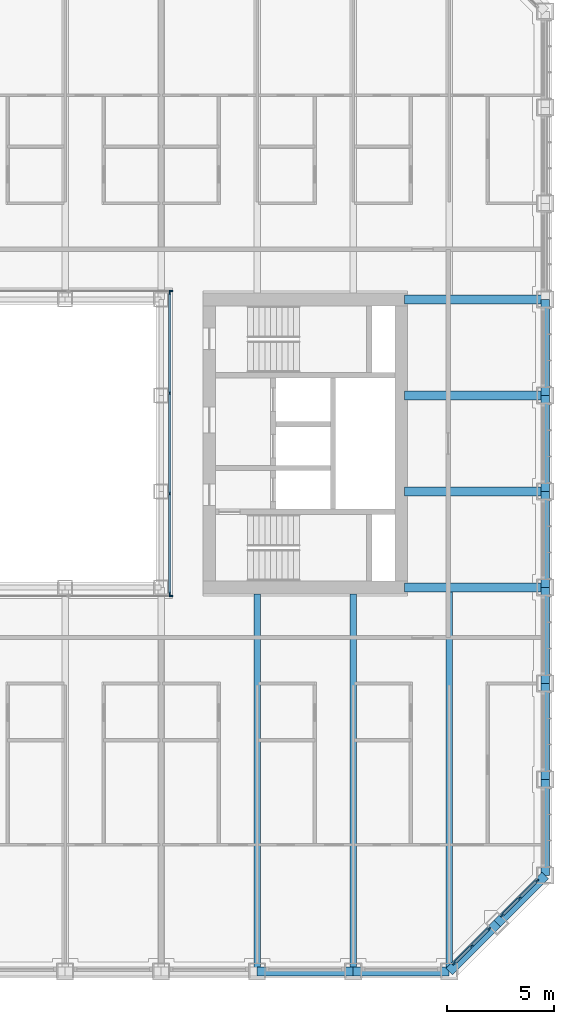
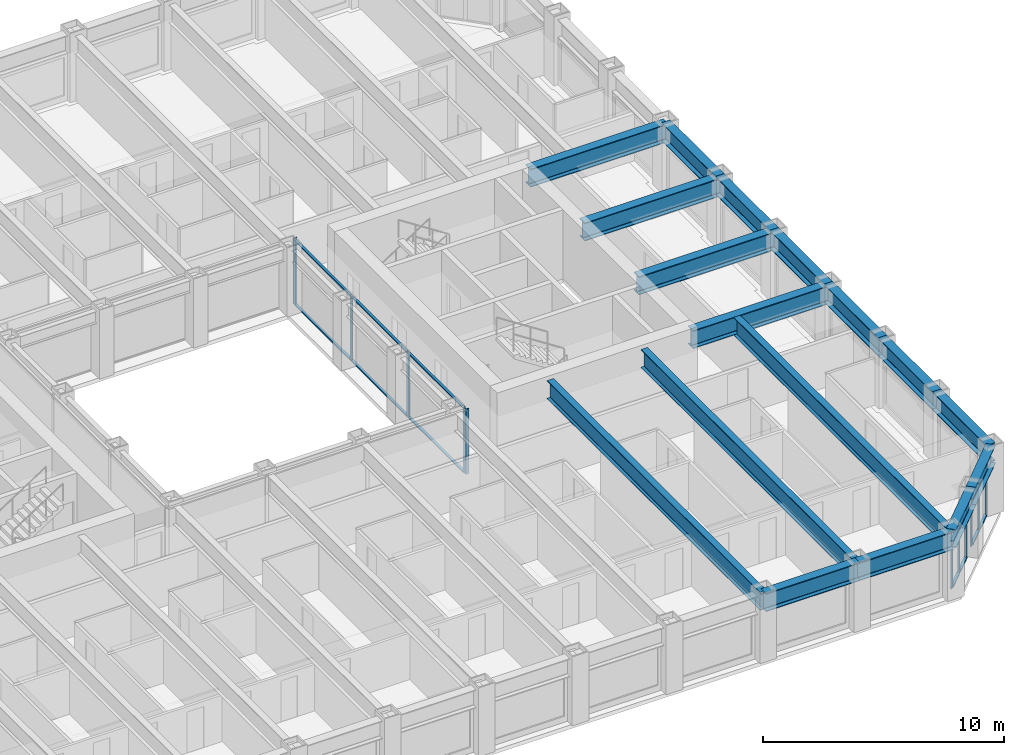
# One storey, part 5 of 21: 26 members, 17 beams, 5 elements without a shape of their own.
"""IFC4 building model written with IfcOpenShell, lengths in metres."""

from ifc_helpers import new_model, si_unit, direction, frame, origin, origin_2d, place, context, subcontext, project, spatial, rectangle, i_section, extrude, material, material_profile, profile_set, type_object, element, aggregate, save


model = new_model("IFC4")

# Units and contexts
model_context = context("Model", 3, precision=1e-05, world=origin(), true_north=direction((0.0, 1.0)))
body_context = subcontext(model_context, "Body", "Model", "MODEL_VIEW")
ifc_project = project(units=[si_unit("LENGTHUNIT", "METRE"), si_unit("AREAUNIT", "SQUARE_METRE"), si_unit("VOLUMEUNIT", "CUBIC_METRE"), si_unit("PLANEANGLEUNIT", "RADIAN"), si_unit("MASSUNIT", "GRAM", prefix="KILO")], contexts=[model_context])

# Site, building, storey
site_placement = place(None, origin())
site = spatial("IfcSite", under=ifc_project, at=site_placement, CompositionType="ELEMENT")
building_placement = place(site_placement, origin())
building = spatial("IfcBuilding", under=site, at=building_placement, Name="Msasa Ring Tower", CompositionType="ELEMENT")
storey_placement = place(building_placement, frame((0.0, 0.0, 93.0)))
storey = spatial("IfcBuildingStorey", under=building, at=storey_placement, Name="L24", CompositionType="ELEMENT", Elevation=93.0)

# Curtain wall, members
ifc_material_1 = material(Name="Aluminium curtain wall with clear glass", Category="aluminium")
curtain_wall_type_1 = type_object("IfcCurtainWallType", Name="CW-C CHAMFER CORNER CURTAIN WALL", PredefinedType="NOTDEFINED", material=ifc_material_1)
curtain_wall_1_placement = place(storey_placement, origin())
curtain_wall_1 = element("IfcCurtainWall", 1, at=curtain_wall_1_placement, inside=storey, type_object=curtain_wall_type_1, Name="Chamfer corner curtain wall SE L24", PredefinedType="NOTDEFINED")
ifc_material_2 = material(Name="Aluminium mullion", Category="aluminium")
ifc_material_profile_1 = material_profile(ifc_material_2, rectangle(XDim=0.06494140625, YDim=0.179931640625, at=origin_2d()), Name="AL 65x180")
ifc_profile_set_1 = profile_set([ifc_material_profile_1], Name="Aluminium mullion")
member_type_1 = type_object("IfcMemberType", Name="CW-C MULLION 65x180", PredefinedType="MULLION", material=ifc_profile_set_1)
member_1_placement = place(storey_placement, frame((20.48876953125, -24.369873046875, 0.0), z_axis=(0.0, 0.0, 1.0), x_axis=(-0.707106781187, 0.707106781187, 0.0)))
member_1 = element("IfcMember", 2, at=member_1_placement, type_object=member_type_1, Name="CW-C mullion 1", PredefinedType="MULLION", context=body_context, shape_type="SweptSolid", body=[
    extrude(rectangle(XDim=0.06494140625, YDim=0.179931640625, at=origin_2d()), origin(), (0.0, 0.0, 1.0), 2.37890625),
])
member_2_placement = place(storey_placement, frame((21.30419921875, -23.55419921875, 0.0), z_axis=(0.0, 0.0, 1.0), x_axis=(-0.707106781187, 0.707106781187, 0.0)))
member_2 = element("IfcMember", 3, at=member_2_placement, type_object=member_type_1, Name="CW-C mullion 2", PredefinedType="MULLION", context=body_context, shape_type="SweptSolid", body=[
    extrude(rectangle(XDim=0.06494140625, YDim=0.179931640625, at=origin_2d()), origin(), (0.0, 0.0, 1.0), 2.37890625),
])
member_3_placement = place(storey_placement, frame((22.119873046875, -22.73876953125, 0.0), z_axis=(0.0, 0.0, 1.0), x_axis=(-0.707106781187, 0.707106781187, 0.0)))
member_3 = element("IfcMember", 4, at=member_3_placement, type_object=member_type_1, Name="CW-C mullion 3", PredefinedType="MULLION", context=body_context, shape_type="SweptSolid", body=[
    extrude(rectangle(XDim=0.06494140625, YDim=0.179931640625, at=origin_2d()), origin(), (0.0, 0.0, 1.0), 2.37890625),
])

curtain_wall_2_placement = place(storey_placement, origin())
curtain_wall_2 = element("IfcCurtainWall", 5, at=curtain_wall_2_placement, inside=storey, type_object=curtain_wall_type_1, Name="Chamfer corner curtain wall SE L24", PredefinedType="NOTDEFINED")
member_4_placement = place(storey_placement, frame((22.73876953125, -22.119873046875, 0.0), z_axis=(0.0, 0.0, 1.0), x_axis=(-0.707106781187, 0.707106781187, 0.0)))
member_4 = element("IfcMember", 6, at=member_4_placement, type_object=member_type_1, Name="CW-C mullion 1", PredefinedType="MULLION", context=body_context, shape_type="SweptSolid", body=[
    extrude(rectangle(XDim=0.06494140625, YDim=0.179931640625, at=origin_2d()), origin(), (0.0, 0.0, 1.0), 2.37890625),
])
member_5_placement = place(storey_placement, frame((23.55419921875, -21.30419921875, 0.0), z_axis=(0.0, 0.0, 1.0), x_axis=(-0.707106781187, 0.707106781187, 0.0)))
member_5 = element("IfcMember", 7, at=member_5_placement, type_object=member_type_1, Name="CW-C mullion 2", PredefinedType="MULLION", context=body_context, shape_type="SweptSolid", body=[
    extrude(rectangle(XDim=0.06494140625, YDim=0.179931640625, at=origin_2d()), origin(), (0.0, 0.0, 1.0), 2.37890625),
])
member_6_placement = place(storey_placement, frame((24.369873046875, -20.48876953125, 0.0), z_axis=(0.0, 0.0, 1.0), x_axis=(-0.707106781187, 0.707106781187, 0.0)))
member_6 = element("IfcMember", 8, at=member_6_placement, type_object=member_type_1, Name="CW-C mullion 3", PredefinedType="MULLION", context=body_context, shape_type="SweptSolid", body=[
    extrude(rectangle(XDim=0.06494140625, YDim=0.179931640625, at=origin_2d()), origin(), (0.0, 0.0, 1.0), 2.37890625),
])

# Member
ifc_material_3 = material(Name="Aluminium transom", Category="aluminium")
ifc_material_profile_2 = material_profile(ifc_material_3, rectangle(XDim=0.139892578125, YDim=0.06494140625, at=origin_2d()), Name="AL 65x140")
ifc_profile_set_2 = profile_set([ifc_material_profile_2], Name="Aluminium transom")
member_type_2 = type_object("IfcMemberType", Name="CW-C TRANSOM 65x140", PredefinedType="USERDEFINED", material=ifc_profile_set_2)
member_7_placement = place(storey_placement, frame((20.51171875, -24.346923828125, 0.032470703125), z_axis=(0.707106781187, 0.707106781187, 0.0), x_axis=(-0.707106781187, 0.707106781187, 0.0)))
member_7 = element("IfcMember", 9, at=member_7_placement, type_object=member_type_2, Name="CW-C transom 1.1", ObjectType="TRANSOM", PredefinedType="USERDEFINED", context=body_context, shape_type="SweptSolid", body=[
    extrude(rectangle(XDim=0.139892578125, YDim=0.06494140625, at=origin_2d()), origin(), (0.0, 0.0, 1.0), 1.08837890625),
])

member_8_placement = place(storey_placement, frame((20.51171875, -24.346923828125, 2.346435546875), z_axis=(0.707106781187, 0.707106781187, 0.0), x_axis=(-0.707106781187, 0.707106781187, 0.0)))
member_8 = element("IfcMember", 10, at=member_8_placement, type_object=member_type_2, Name="CW-C transom 1.2", ObjectType="TRANSOM", PredefinedType="USERDEFINED", context=body_context, shape_type="SweptSolid", body=[
    extrude(rectangle(XDim=0.139892578125, YDim=0.06494140625, at=origin_2d()), origin(), (0.0, 0.0, 1.0), 1.08837890625),
])

member_9_placement = place(storey_placement, frame((21.327392578125, -23.53125, 0.032470703125), z_axis=(0.707106781187, 0.707106781187, 0.0), x_axis=(-0.707106781187, 0.707106781187, 0.0)))
member_9 = element("IfcMember", 11, at=member_9_placement, type_object=member_type_2, Name="CW-C transom 2.1", ObjectType="TRANSOM", PredefinedType="USERDEFINED", context=body_context, shape_type="SweptSolid", body=[
    extrude(rectangle(XDim=0.139892578125, YDim=0.06494140625, at=origin_2d()), origin(), (0.0, 0.0, 1.0), 1.08837890625),
])

member_10_placement = place(storey_placement, frame((21.327392578125, -23.53125, 2.346435546875), z_axis=(0.707106781187, 0.707106781187, 0.0), x_axis=(-0.707106781187, 0.707106781187, 0.0)))
member_10 = element("IfcMember", 12, at=member_10_placement, type_object=member_type_2, Name="CW-C transom 2.2", ObjectType="TRANSOM", PredefinedType="USERDEFINED", context=body_context, shape_type="SweptSolid", body=[
    extrude(rectangle(XDim=0.139892578125, YDim=0.06494140625, at=origin_2d()), origin(), (0.0, 0.0, 1.0), 1.08837890625),
])

aggregate(curtain_wall_1, [member_1, member_2, member_3, member_7, member_8, member_9, member_10])

member_11_placement = place(storey_placement, frame((22.76171875, -22.096923828125, 0.032470703125), z_axis=(0.707106781187, 0.707106781187, 0.0), x_axis=(-0.707106781187, 0.707106781187, 0.0)))
member_11 = element("IfcMember", 13, at=member_11_placement, type_object=member_type_2, Name="CW-C transom 1.1", ObjectType="TRANSOM", PredefinedType="USERDEFINED", context=body_context, shape_type="SweptSolid", body=[
    extrude(rectangle(XDim=0.139892578125, YDim=0.06494140625, at=origin_2d()), origin(), (0.0, 0.0, 1.0), 1.08837890625),
])

member_12_placement = place(storey_placement, frame((22.76171875, -22.096923828125, 2.346435546875), z_axis=(0.707106781187, 0.707106781187, 0.0), x_axis=(-0.707106781187, 0.707106781187, 0.0)))
member_12 = element("IfcMember", 14, at=member_12_placement, type_object=member_type_2, Name="CW-C transom 1.2", ObjectType="TRANSOM", PredefinedType="USERDEFINED", context=body_context, shape_type="SweptSolid", body=[
    extrude(rectangle(XDim=0.139892578125, YDim=0.06494140625, at=origin_2d()), origin(), (0.0, 0.0, 1.0), 1.08837890625),
])

member_13_placement = place(storey_placement, frame((23.577392578125, -21.28125, 0.032470703125), z_axis=(0.707106781187, 0.707106781187, 0.0), x_axis=(-0.707106781187, 0.707106781187, 0.0)))
member_13 = element("IfcMember", 15, at=member_13_placement, type_object=member_type_2, Name="CW-C transom 2.1", ObjectType="TRANSOM", PredefinedType="USERDEFINED", context=body_context, shape_type="SweptSolid", body=[
    extrude(rectangle(XDim=0.139892578125, YDim=0.06494140625, at=origin_2d()), origin(), (0.0, 0.0, 1.0), 1.08837890625),
])

member_14_placement = place(storey_placement, frame((23.577392578125, -21.28125, 2.346435546875), z_axis=(0.707106781187, 0.707106781187, 0.0), x_axis=(-0.707106781187, 0.707106781187, 0.0)))
member_14 = element("IfcMember", 16, at=member_14_placement, type_object=member_type_2, Name="CW-C transom 2.2", ObjectType="TRANSOM", PredefinedType="USERDEFINED", context=body_context, shape_type="SweptSolid", body=[
    extrude(rectangle(XDim=0.139892578125, YDim=0.06494140625, at=origin_2d()), origin(), (0.0, 0.0, 1.0), 1.08837890625),
])

aggregate(curtain_wall_2, [member_4, member_5, member_6, member_11, member_12, member_13, member_14])

# Curtain wall, member
ifc_material_4 = material(Name="Aluminium curtain wall with clear glass", Category="aluminium")
curtain_wall_type_2 = type_object("IfcCurtainWallType", Name="CW-W LIGHT WELL CURTAIN WALL", PredefinedType="NOTDEFINED", material=ifc_material_4)
curtain_wall_3_placement = place(storey_placement, origin())
curtain_wall_3 = element("IfcCurtainWall", 17, at=curtain_wall_3_placement, inside=storey, type_object=curtain_wall_type_2, Name="Light well curtain wall N L24", PredefinedType="NOTDEFINED")
ifc_material_5 = material(Name="Aluminium mullion", Category="aluminium")
ifc_material_profile_3 = material_profile(ifc_material_5, rectangle(XDim=0.06005859375, YDim=0.159912109375, at=origin_2d()), Name="AL 60x160")
ifc_profile_set_3 = profile_set([ifc_material_profile_3], Name="Aluminium mullion")
member_type_3 = type_object("IfcMemberType", Name="CW-W MULLION 60x160", PredefinedType="MULLION", material=ifc_profile_set_3)
member_15_placement = place(storey_placement, frame((7.199951171875, 7.14990234375, 0.0), z_axis=(0.0, 0.0, 1.0), x_axis=(0.0, 1.0, 0.0)))
member_15 = element("IfcMember", 18, at=member_15_placement, type_object=member_type_3, Name="CW-W mullion 4", PredefinedType="MULLION", context=body_context, shape_type="SweptSolid", body=[
    extrude(rectangle(XDim=0.06005859375, YDim=0.159912109375, at=origin_2d()), origin(), (0.0, 0.0, 1.0), 3.300048828125),
])
aggregate(curtain_wall_3, [member_15])

curtain_wall_4_placement = place(storey_placement, origin())
curtain_wall_4 = element("IfcCurtainWall", 19, at=curtain_wall_4_placement, inside=storey, type_object=curtain_wall_type_2, Name="Light well curtain wall S L24", PredefinedType="NOTDEFINED")
member_16_placement = place(storey_placement, frame((7.199951171875, -7.14990234375, 0.0), z_axis=(0.0, 0.0, 1.0), x_axis=(0.0, 1.0, 0.0)))
member_16 = element("IfcMember", 20, at=member_16_placement, type_object=member_type_3, Name="CW-W mullion 4", PredefinedType="MULLION", context=body_context, shape_type="SweptSolid", body=[
    extrude(rectangle(XDim=0.06005859375, YDim=0.159912109375, at=origin_2d()), origin(), (0.0, 0.0, 1.0), 3.300048828125),
])
aggregate(curtain_wall_4, [member_16])

# Curtain wall, members
curtain_wall_5_placement = place(storey_placement, origin())
curtain_wall_5 = element("IfcCurtainWall", 21, at=curtain_wall_5_placement, inside=storey, type_object=curtain_wall_type_2, Name="Light well curtain wall E L24", PredefinedType="NOTDEFINED")
member_17_placement = place(storey_placement, frame((7.14990234375, -7.0400390625, 0.0), z_axis=(0.0, 0.0, 1.0), x_axis=(-1.0, 0.0, 0.0)))
member_17 = element("IfcMember", 22, at=member_17_placement, type_object=member_type_3, Name="CW-W mullion 1", PredefinedType="MULLION", context=body_context, shape_type="SweptSolid", body=[
    extrude(rectangle(XDim=0.06005859375, YDim=0.159912109375, at=origin_2d()), origin(), (0.0, 0.0, 1.0), 3.300048828125),
])
member_18_placement = place(storey_placement, frame((7.14990234375, -2.356689453125, 0.0), z_axis=(0.0, 0.0, 1.0), x_axis=(-1.0, 0.0, 0.0)))
member_18 = element("IfcMember", 23, at=member_18_placement, type_object=member_type_3, Name="CW-W mullion 2", PredefinedType="MULLION", context=body_context, shape_type="SweptSolid", body=[
    extrude(rectangle(XDim=0.06005859375, YDim=0.159912109375, at=origin_2d()), origin(), (0.0, 0.0, 1.0), 3.300048828125),
])
member_19_placement = place(storey_placement, frame((7.14990234375, 2.356689453125, 0.0), z_axis=(0.0, 0.0, 1.0), x_axis=(-1.0, 0.0, 0.0)))
member_19 = element("IfcMember", 24, at=member_19_placement, type_object=member_type_3, Name="CW-W mullion 3", PredefinedType="MULLION", context=body_context, shape_type="SweptSolid", body=[
    extrude(rectangle(XDim=0.06005859375, YDim=0.159912109375, at=origin_2d()), origin(), (0.0, 0.0, 1.0), 3.300048828125),
])
member_20_placement = place(storey_placement, frame((7.14990234375, 7.0400390625, 0.0), z_axis=(0.0, 0.0, 1.0), x_axis=(-1.0, 0.0, 0.0)))
member_20 = element("IfcMember", 25, at=member_20_placement, type_object=member_type_3, Name="CW-W mullion 4", PredefinedType="MULLION", context=body_context, shape_type="SweptSolid", body=[
    extrude(rectangle(XDim=0.06005859375, YDim=0.159912109375, at=origin_2d()), origin(), (0.0, 0.0, 1.0), 3.300048828125),
])
ifc_material_6 = material(Name="Aluminium transom", Category="aluminium")
ifc_material_profile_4 = material_profile(ifc_material_6, rectangle(XDim=0.1201171875, YDim=0.06005859375, at=origin_2d()), Name="AL 60x120")
ifc_profile_set_4 = profile_set([ifc_material_profile_4], Name="Aluminium transom")
member_type_4 = type_object("IfcMemberType", Name="CW-W TRANSOM 60x120", PredefinedType="USERDEFINED", material=ifc_profile_set_4)
member_21_placement = place(storey_placement, frame((7.14990234375, -7.010009765625, 0.030029296875), z_axis=(0.0, 1.0, 0.0), x_axis=(-1.0, 0.0, 0.0)))
member_21 = element("IfcMember", 26, at=member_21_placement, type_object=member_type_4, Name="CW-W transom 1.1", ObjectType="TRANSOM", PredefinedType="USERDEFINED", context=body_context, shape_type="SweptSolid", body=[
    extrude(rectangle(XDim=0.1201171875, YDim=0.06005859375, at=origin_2d()), origin(), (0.0, 0.0, 1.0), 4.623291015625),
])
member_22_placement = place(storey_placement, frame((7.14990234375, -7.010009765625, 3.27001953125), z_axis=(0.0, 1.0, 0.0), x_axis=(-1.0, 0.0, 0.0)))
member_22 = element("IfcMember", 27, at=member_22_placement, type_object=member_type_4, Name="CW-W transom 1.2", ObjectType="TRANSOM", PredefinedType="USERDEFINED", context=body_context, shape_type="SweptSolid", body=[
    extrude(rectangle(XDim=0.1201171875, YDim=0.06005859375, at=origin_2d()), origin(), (0.0, 0.0, 1.0), 4.623291015625),
])
member_23_placement = place(storey_placement, frame((7.14990234375, -2.32666015625, 0.030029296875), z_axis=(0.0, 1.0, 0.0), x_axis=(-1.0, 0.0, 0.0)))
member_23 = element("IfcMember", 28, at=member_23_placement, type_object=member_type_4, Name="CW-W transom 2.1", ObjectType="TRANSOM", PredefinedType="USERDEFINED", context=body_context, shape_type="SweptSolid", body=[
    extrude(rectangle(XDim=0.1201171875, YDim=0.06005859375, at=origin_2d()), origin(), (0.0, 0.0, 1.0), 4.6533203125),
])
member_24_placement = place(storey_placement, frame((7.14990234375, -2.32666015625, 3.27001953125), z_axis=(0.0, 1.0, 0.0), x_axis=(-1.0, 0.0, 0.0)))
member_24 = element("IfcMember", 29, at=member_24_placement, type_object=member_type_4, Name="CW-W transom 2.2", ObjectType="TRANSOM", PredefinedType="USERDEFINED", context=body_context, shape_type="SweptSolid", body=[
    extrude(rectangle(XDim=0.1201171875, YDim=0.06005859375, at=origin_2d()), origin(), (0.0, 0.0, 1.0), 4.6533203125),
])
member_25_placement = place(storey_placement, frame((7.14990234375, 2.38671875, 0.030029296875), z_axis=(0.0, 1.0, 0.0), x_axis=(-1.0, 0.0, 0.0)))
member_25 = element("IfcMember", 30, at=member_25_placement, type_object=member_type_4, Name="CW-W transom 3.1", ObjectType="TRANSOM", PredefinedType="USERDEFINED", context=body_context, shape_type="SweptSolid", body=[
    extrude(rectangle(XDim=0.1201171875, YDim=0.06005859375, at=origin_2d()), origin(), (0.0, 0.0, 1.0), 4.623291015625),
])
member_26_placement = place(storey_placement, frame((7.14990234375, 2.38671875, 3.27001953125), z_axis=(0.0, 1.0, 0.0), x_axis=(-1.0, 0.0, 0.0)))
member_26 = element("IfcMember", 31, at=member_26_placement, type_object=member_type_4, Name="CW-W transom 3.2", ObjectType="TRANSOM", PredefinedType="USERDEFINED", context=body_context, shape_type="SweptSolid", body=[
    extrude(rectangle(XDim=0.1201171875, YDim=0.06005859375, at=origin_2d()), origin(), (0.0, 0.0, 1.0), 4.623291015625),
])
aggregate(curtain_wall_5, [member_17, member_18, member_19, member_20, member_21, member_22, member_23, member_24, member_25, member_26])

# Beams
ifc_material_7 = material(Name="Steel S355", Category="steel")
ifc_material_profile_5 = material_profile(ifc_material_7, i_section(OverallWidth=0.42041015625, OverallDepth=0.9208984375, WebThickness=0.021484375, FlangeThickness=0.03662109375, FilletRadius=0.024169921875, at=origin_2d()), Name="UB 914x419x388")
ifc_profile_set_5 = profile_set([ifc_material_profile_5], Name="Steel S355")
beam_type_1 = type_object("IfcBeamType", Name="FB2 UB 914x419x388", PredefinedType="BEAM", material=ifc_profile_set_5)
for number, where, z_axis, x_axis, name in (
    (32, (24.75, -2.25, 2.839599609375), (-1.0, 0.0, 0.0), (0.0, -1.0, 0.0), "Floor beam E -2.25 under L25"),
    (33, (24.75, 2.25, 2.839599609375), (-1.0, 0.0, 0.0), (0.0, -1.0, 0.0), "Floor beam E +2.25 under L25"),
):
    element("IfcBeam", number, at=place(storey_placement, frame(where, z_axis=z_axis, x_axis=x_axis)), inside=storey, type_object=beam_type_1, Name=name, PredefinedType="BEAM", context=body_context, shape_type="SweptSolid", body=[
        extrude(i_section(OverallWidth=0.42041015625, OverallDepth=0.9208984375, WebThickness=0.021484375, FlangeThickness=0.03662109375, FilletRadius=0.024169921875, at=origin_2d()), origin(), (0.0, 0.0, 1.0), 6.60009765625),
    ])
ifc_material_8 = material(Name="Steel S355", Category="steel")
ifc_material_profile_6 = material_profile(ifc_material_8, i_section(OverallWidth=0.3076171875, OverallDepth=0.926513671875, WebThickness=0.01953125, FlangeThickness=0.031982421875, FilletRadius=0.01904296875, at=origin_2d()), Name="UB 914x305x289")
ifc_profile_set_6 = profile_set([ifc_material_profile_6], Name="Steel S355")
beam_type_2 = type_object("IfcBeamType", Name="FB3 UB 914x305x289", PredefinedType="BEAM", material=ifc_profile_set_6)
for number, where, z_axis, x_axis, name in (
    (34, (11.25, -24.75, 2.836669921875), (0.0, 1.0, 0.0), (-1.0, 0.0, 0.0), "Floor beam S+11.25 under L25"),
    (35, (15.75, -24.75, 2.836669921875), (0.0, 1.0, 0.0), (-1.0, 0.0, 0.0), "Floor beam S+15.75 under L25"),
):
    element("IfcBeam", number, at=place(storey_placement, frame(where, z_axis=z_axis, x_axis=x_axis)), inside=storey, type_object=beam_type_2, Name=name, PredefinedType="BEAM", context=body_context, shape_type="SweptSolid", body=[
        extrude(i_section(OverallWidth=0.3076171875, OverallDepth=0.926513671875, WebThickness=0.01953125, FlangeThickness=0.031982421875, FilletRadius=0.01904296875, at=origin_2d()), origin(), (0.0, 0.0, 1.0), 17.699951171875),
    ])
beam_placement = place(storey_placement, frame((20.25, -24.75, 2.836669921875), z_axis=(0.0, 1.0, 0.0), x_axis=(-1.0, 0.0, 0.0)))
element("IfcBeam", 36, at=beam_placement, inside=storey, type_object=beam_type_2, Name="Floor beam S+20.25 under L25", PredefinedType="BEAM", context=body_context, shape_type="SweptSolid", body=[
    extrude(i_section(OverallWidth=0.3076171875, OverallDepth=0.926513671875, WebThickness=0.01953125, FlangeThickness=0.031982421875, FilletRadius=0.01904296875, at=origin_2d()), origin(), (0.0, 0.0, 1.0), 17.789794921875),
])
ifc_material_9 = material(Name="Steel S355", Category="steel")
ifc_material_profile_7 = material_profile(ifc_material_9, i_section(OverallWidth=0.42041015625, OverallDepth=0.9208984375, WebThickness=0.021484375, FlangeThickness=0.03662109375, FilletRadius=0.024169921875, at=origin_2d()), Name="UB 914x419x388")
ifc_profile_set_7 = profile_set([ifc_material_profile_7], Name="Steel S355")
beam_type_3 = type_object("IfcBeamType", Name="GB1 UB 914x419x388", PredefinedType="BEAM", material=ifc_profile_set_7)
for number, where, z_axis, x_axis, name in (
    (37, (18.14990234375, 6.75, 2.839599609375), (1.0, 0.0, 0.0), (0.0, 1.0, 0.0), "Girder E +6.75 under L25"),
    (38, (18.14990234375, -6.75, 2.839599609375), (1.0, 0.0, 0.0), (0.0, 1.0, 0.0), "Girder E -6.75 under L25"),
):
    element("IfcBeam", number, at=place(storey_placement, frame(where, z_axis=z_axis, x_axis=x_axis)), inside=storey, type_object=beam_type_3, Name=name, PredefinedType="BEAM", context=body_context, shape_type="SweptSolid", body=[
        extrude(i_section(OverallWidth=0.42041015625, OverallDepth=0.9208984375, WebThickness=0.021484375, FlangeThickness=0.03662109375, FilletRadius=0.024169921875, at=origin_2d()), origin(), (0.0, 0.0, 1.0), 6.60009765625),
    ])
ifc_material_10 = material(Name="Steel S355", Category="steel")
ifc_material_profile_8 = material_profile(ifc_material_10, i_section(OverallWidth=0.42041015625, OverallDepth=0.9208984375, WebThickness=0.021484375, FlangeThickness=0.03662109375, FilletRadius=0.024169921875, at=origin_2d()), Name="UB 914x419x388")
ifc_profile_set_8 = profile_set([ifc_material_profile_8], Name="Steel S355")
beam_type_4 = type_object("IfcBeamType", Name="SB1 UB 914x419x388", PredefinedType="SPANDREL", material=ifc_profile_set_8)
for number, where, z_axis, x_axis, name in (
    (39, (11.25, -24.75, 2.839599609375), (1.0, 0.0, 0.0), (0.0, 1.0, 0.0), "Spandrel S+11.25 to S+15.75 under L25"),
    (40, (15.75, -24.75, 2.839599609375), (1.0, 0.0, 0.0), (0.0, 1.0, 0.0), "Spandrel S+15.75 to S+20.25 under L25"),
):
    element("IfcBeam", number, at=place(storey_placement, frame(where, z_axis=z_axis, x_axis=x_axis)), inside=storey, type_object=beam_type_4, Name=name, PredefinedType="SPANDREL", context=body_context, shape_type="SweptSolid", body=[
        extrude(i_section(OverallWidth=0.42041015625, OverallDepth=0.9208984375, WebThickness=0.021484375, FlangeThickness=0.03662109375, FilletRadius=0.024169921875, at=origin_2d()), origin(), (0.0, 0.0, 1.0), 4.5),
    ])
for number, where, z_axis, x_axis, name in (
    (41, (20.25, -24.75, 2.839599609375), (0.707106781187, 0.707106781187, 0.0), (-0.707106781187, 0.707106781187, 0.0), "Spandrel S+20.25 to SE under L25"),
    (42, (22.5, -22.5, 2.839599609375), (0.707106781187, 0.707106781187, 0.0), (-0.707106781187, 0.707106781187, 0.0), "Spandrel SE to E-20.25 under L25"),
):
    element("IfcBeam", number, at=place(storey_placement, frame(where, z_axis=z_axis, x_axis=x_axis)), inside=storey, type_object=beam_type_4, Name=name, PredefinedType="SPANDREL", context=body_context, shape_type="SweptSolid", body=[
        extrude(i_section(OverallWidth=0.42041015625, OverallDepth=0.9208984375, WebThickness=0.021484375, FlangeThickness=0.03662109375, FilletRadius=0.024169921875, at=origin_2d()), origin(), (0.0, 0.0, 1.0), 3.181884765625),
    ])
for number, where, z_axis, x_axis, name in (
    (43, (24.75, -20.25, 2.839599609375), (0.0, 1.0, 0.0), (-1.0, 0.0, 0.0), "Spandrel E-20.25 to E-15.75 under L25"),
    (44, (24.75, -15.75, 2.839599609375), (0.0, 1.0, 0.0), (-1.0, 0.0, 0.0), "Spandrel E-15.75 to E-11.25 under L25"),
    (45, (24.75, -11.25, 2.839599609375), (0.0, 1.0, 0.0), (-1.0, 0.0, 0.0), "Spandrel E-11.25 to E-6.75 under L25"),
    (46, (24.75, -6.75, 2.839599609375), (0.0, 1.0, 0.0), (-1.0, 0.0, 0.0), "Spandrel E-6.75 to E-2.25 under L25"),
    (47, (24.75, -2.25, 2.839599609375), (0.0, 1.0, 0.0), (-1.0, 0.0, 0.0), "Spandrel E-2.25 to E+2.25 under L25"),
    (48, (24.75, 2.25, 2.839599609375), (0.0, 1.0, 0.0), (-1.0, 0.0, 0.0), "Spandrel E+2.25 to E+6.75 under L25"),
):
    element("IfcBeam", number, at=place(storey_placement, frame(where, z_axis=z_axis, x_axis=x_axis)), inside=storey, type_object=beam_type_4, Name=name, PredefinedType="SPANDREL", context=body_context, shape_type="SweptSolid", body=[
        extrude(i_section(OverallWidth=0.42041015625, OverallDepth=0.9208984375, WebThickness=0.021484375, FlangeThickness=0.03662109375, FilletRadius=0.024169921875, at=origin_2d()), origin(), (0.0, 0.0, 1.0), 4.5),
    ])

save(model, "model.ifc")
